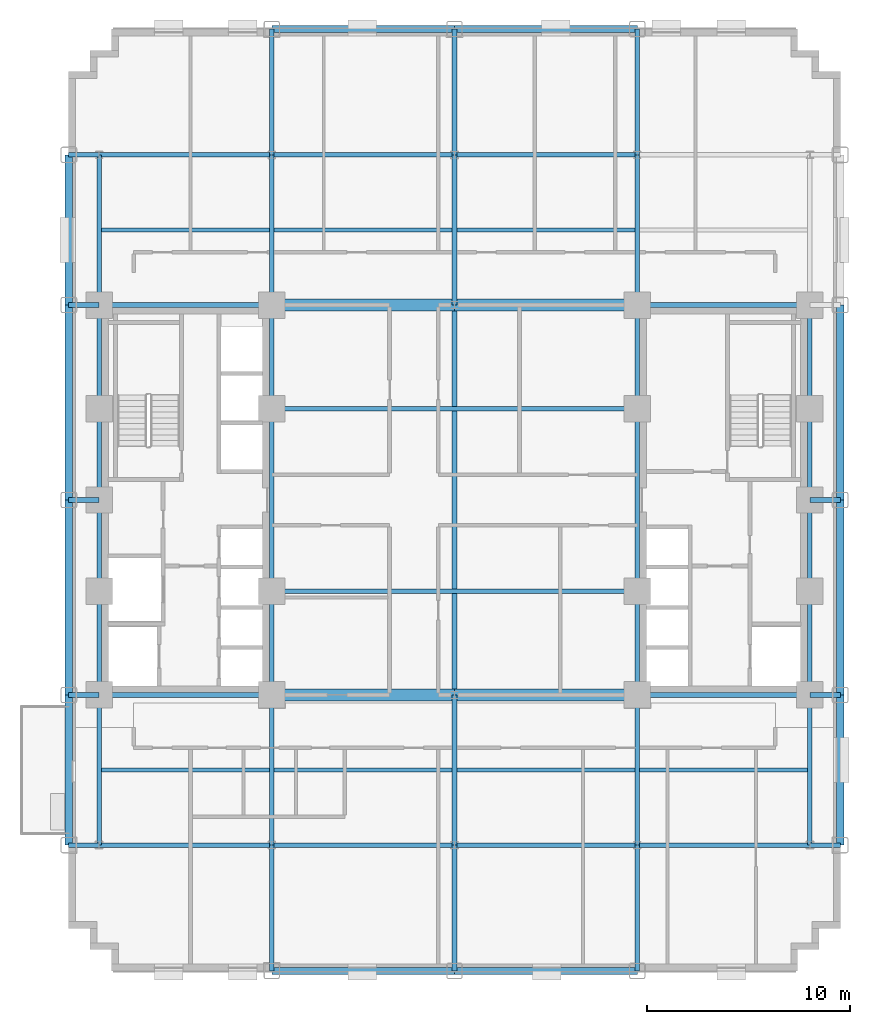
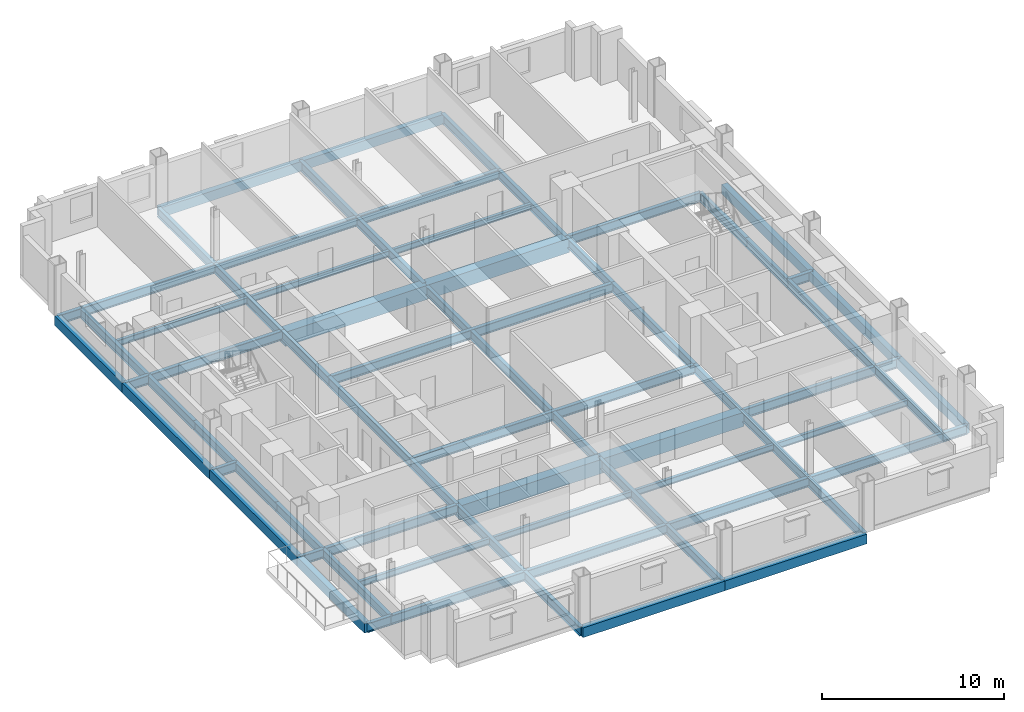
# One storey, part 3 of 12: 73 beams.
"""IFC4 building model written with IfcOpenShell, lengths in metres."""

from ifc_helpers import new_model, si_unit, direction, frame, origin, origin_2d, place, context, subcontext, project, spatial, rectangle, i_section, extrude, material, material_profile, profile_set, type_object, element, save


model = new_model("IFC4")

# Units and contexts
model_context = context("Model", 3, precision=1e-05, world=origin(), true_north=direction((0.0, 1.0)))
body_context = subcontext(model_context, "Body", "Model", "MODEL_VIEW")
ifc_project = project(units=[si_unit("LENGTHUNIT", "METRE"), si_unit("AREAUNIT", "SQUARE_METRE"), si_unit("VOLUMEUNIT", "CUBIC_METRE"), si_unit("PLANEANGLEUNIT", "RADIAN"), si_unit("MASSUNIT", "GRAM", prefix="KILO")], contexts=[model_context])

# Site, building, storey
site_placement = place(None, origin())
site = spatial("IfcSite", under=ifc_project, at=site_placement, CompositionType="ELEMENT")
building_placement = place(site_placement, origin())
building = spatial("IfcBuilding", under=site, at=building_placement, Name="Nuvemarco Arch Tower", CompositionType="ELEMENT")
storey_placement = place(building_placement, frame((0.0, 0.0, 49.5)))
storey = spatial("IfcBuildingStorey", under=building, at=storey_placement, Name="L12", CompositionType="ELEMENT", Elevation=49.5)

# Beams
ifc_material_1 = material(Name="Concrete C60/75", Category="concrete")
ifc_material_profile_1 = material_profile(ifc_material_1, rectangle(XDim=0.60009765625, YDim=0.949951171875, at=origin_2d()), Name="RC-BM-600x950")
ifc_profile_set_1 = profile_set([ifc_material_profile_1], Name="Concrete C60/75")
beam_type_1 = type_object("IfcBeamType", Name="BM-COUP-RC", PredefinedType="LINTEL", material=ifc_profile_set_1)
for number, where, z_axis, x_axis, name in (
    (1, (-9.0, -9.60009765625, -0.7548828125), (1.0, 0.0, 0.0), (0.0, 1.0, 0.0), "L12 structural beam BGEW_L12_0_-9.6_-9.0"),
    (2, (0.0, -9.60009765625, -0.7548828125), (1.0, 0.0, 0.0), (0.0, 1.0, 0.0), "L12 structural beam BGEW_L12_0_-9.6_+0.0"),
    (3, (-9.0, 9.60009765625, -0.7548828125), (1.0, 0.0, 0.0), (0.0, 1.0, 0.0), "L12 structural beam BGEW_L12_0_+9.6_-9.0"),
    (4, (0.0, 9.60009765625, -0.7548828125), (1.0, 0.0, 0.0), (0.0, 1.0, 0.0), "L12 structural beam BGEW_L12_0_+9.6_+0.0"),
):
    element("IfcBeam", number, at=place(storey_placement, frame(where, z_axis=z_axis, x_axis=x_axis)), inside=storey, type_object=beam_type_1, Name=name, PredefinedType="LINTEL", context=body_context, shape_type="SweptSolid", body=[
        extrude(rectangle(XDim=0.60009765625, YDim=0.949951171875, at=origin_2d()), origin(), (0.0, 0.0, 1.0), 9.0),
    ])
ifc_material_2 = material(Name="Steel S355", Category="steel")
ifc_material_profile_2 = material_profile(ifc_material_2, i_section(OverallWidth=0.22998046875, OverallDepth=0.616943359375, WebThickness=0.01318359375, FlangeThickness=0.022216796875, FilletRadius=0.01611328125, at=origin_2d()), Name="W610x140")
ifc_profile_set_2 = profile_set([ifc_material_profile_2], Name="Steel S355")
beam_type_2 = type_object("IfcBeamType", Name="BM-GIRD-610", PredefinedType="BEAM", material=ifc_profile_set_2)
beam_1_placement = place(storey_placement, frame((-17.5, -17.0, -0.58837890625), z_axis=(0.0, 1.0, 0.0), x_axis=(-1.0, 0.0, 0.0)))
element("IfcBeam", 5, at=beam_1_placement, inside=storey, type_object=beam_type_2, Name="L12 structural beam BGNS_L12_0_-17.5_-17.0", PredefinedType="BEAM", context=body_context, shape_type="SweptSolid", body=[
    extrude(i_section(OverallWidth=0.22998046875, OverallDepth=0.616943359375, WebThickness=0.01318359375, FlangeThickness=0.022216796875, FilletRadius=0.01611328125, at=origin_2d()), origin(), (0.0, 0.0, 1.0), 7.39990234375),
])
beam_2_placement = place(storey_placement, frame((-17.5, -9.60009765625, -0.58837890625), z_axis=(0.0, 1.0, 0.0), x_axis=(-1.0, 0.0, 0.0)))
element("IfcBeam", 6, at=beam_2_placement, inside=storey, type_object=beam_type_2, Name="L12 structural beam BGNS_L12_0_-17.5_-9.6", PredefinedType="BEAM", context=body_context, shape_type="SweptSolid", body=[
    extrude(i_section(OverallWidth=0.22998046875, OverallDepth=0.616943359375, WebThickness=0.01318359375, FlangeThickness=0.022216796875, FilletRadius=0.01611328125, at=origin_2d()), origin(), (0.0, 0.0, 1.0), 5.10009765625),
])
for number, where, z_axis, x_axis, name in (
    (7, (-17.5, -4.5, -0.58837890625), (0.0, 1.0, 0.0), (-1.0, 0.0, 0.0), "L12 structural beam BGNS_L12_0_-17.5_-4.5"),
    (8, (-17.5, 0.0, -0.58837890625), (0.0, 1.0, 0.0), (-1.0, 0.0, 0.0), "L12 structural beam BGNS_L12_0_-17.5_+0.0"),
):
    element("IfcBeam", number, at=place(storey_placement, frame(where, z_axis=z_axis, x_axis=x_axis)), inside=storey, type_object=beam_type_2, Name=name, PredefinedType="BEAM", context=body_context, shape_type="SweptSolid", body=[
        extrude(i_section(OverallWidth=0.22998046875, OverallDepth=0.616943359375, WebThickness=0.01318359375, FlangeThickness=0.022216796875, FilletRadius=0.01611328125, at=origin_2d()), origin(), (0.0, 0.0, 1.0), 4.5),
    ])
beam_3_placement = place(storey_placement, frame((-17.5, 4.5, -0.58837890625), z_axis=(0.0, 1.0, 0.0), x_axis=(-1.0, 0.0, 0.0)))
element("IfcBeam", 9, at=beam_3_placement, inside=storey, type_object=beam_type_2, Name="L12 structural beam BGNS_L12_0_-17.5_+4.5", PredefinedType="BEAM", context=body_context, shape_type="SweptSolid", body=[
    extrude(i_section(OverallWidth=0.22998046875, OverallDepth=0.616943359375, WebThickness=0.01318359375, FlangeThickness=0.022216796875, FilletRadius=0.01611328125, at=origin_2d()), origin(), (0.0, 0.0, 1.0), 5.10009765625),
])
beam_4_placement = place(storey_placement, frame((-17.5, 9.60009765625, -0.58837890625), z_axis=(0.0, 1.0, 0.0), x_axis=(-1.0, 0.0, 0.0)))
element("IfcBeam", 10, at=beam_4_placement, inside=storey, type_object=beam_type_2, Name="L12 structural beam BGNS_L12_0_-17.5_+9.6", PredefinedType="BEAM", context=body_context, shape_type="SweptSolid", body=[
    extrude(i_section(OverallWidth=0.22998046875, OverallDepth=0.616943359375, WebThickness=0.01318359375, FlangeThickness=0.022216796875, FilletRadius=0.01611328125, at=origin_2d()), origin(), (0.0, 0.0, 1.0), 7.39990234375),
])
beam_5_placement = place(storey_placement, frame((-9.0, -23.199951171875, -0.58837890625), z_axis=(0.0, 1.0, 0.0), x_axis=(-1.0, 0.0, 0.0)))
element("IfcBeam", 11, at=beam_5_placement, inside=storey, type_object=beam_type_2, Name="L12 structural beam BGNS_L12_0_-9.0_-23.2", PredefinedType="BEAM", context=body_context, shape_type="SweptSolid", body=[
    extrude(i_section(OverallWidth=0.22998046875, OverallDepth=0.616943359375, WebThickness=0.01318359375, FlangeThickness=0.022216796875, FilletRadius=0.01611328125, at=origin_2d()), origin(), (0.0, 0.0, 1.0), 6.199951171875),
])
beam_6_placement = place(storey_placement, frame((-9.0, -17.0, -0.58837890625), z_axis=(0.0, 1.0, 0.0), x_axis=(-1.0, 0.0, 0.0)))
element("IfcBeam", 12, at=beam_6_placement, inside=storey, type_object=beam_type_2, Name="L12 structural beam BGNS_L12_0_-9.0_-17.0", PredefinedType="BEAM", context=body_context, shape_type="SweptSolid", body=[
    extrude(i_section(OverallWidth=0.22998046875, OverallDepth=0.616943359375, WebThickness=0.01318359375, FlangeThickness=0.022216796875, FilletRadius=0.01611328125, at=origin_2d()), origin(), (0.0, 0.0, 1.0), 7.39990234375),
])
beam_7_placement = place(storey_placement, frame((-9.0, -9.60009765625, -0.58837890625), z_axis=(0.0, 1.0, 0.0), x_axis=(-1.0, 0.0, 0.0)))
element("IfcBeam", 13, at=beam_7_placement, inside=storey, type_object=beam_type_2, Name="L12 structural beam BGNS_L12_0_-9.0_-9.6", PredefinedType="BEAM", context=body_context, shape_type="SweptSolid", body=[
    extrude(i_section(OverallWidth=0.22998046875, OverallDepth=0.616943359375, WebThickness=0.01318359375, FlangeThickness=0.022216796875, FilletRadius=0.01611328125, at=origin_2d()), origin(), (0.0, 0.0, 1.0), 5.10009765625),
])
beam_8_placement = place(storey_placement, frame((-9.0, -4.5, -0.58837890625), z_axis=(0.0, 1.0, 0.0), x_axis=(-1.0, 0.0, 0.0)))
element("IfcBeam", 14, at=beam_8_placement, inside=storey, type_object=beam_type_2, Name="L12 structural beam BGNS_L12_0_-9.0_-4.5", PredefinedType="BEAM", context=body_context, shape_type="SweptSolid", body=[
    extrude(i_section(OverallWidth=0.22998046875, OverallDepth=0.616943359375, WebThickness=0.01318359375, FlangeThickness=0.022216796875, FilletRadius=0.01611328125, at=origin_2d()), origin(), (0.0, 0.0, 1.0), 9.0),
])
beam_9_placement = place(storey_placement, frame((-9.0, 4.5, -0.58837890625), z_axis=(0.0, 1.0, 0.0), x_axis=(-1.0, 0.0, 0.0)))
element("IfcBeam", 15, at=beam_9_placement, inside=storey, type_object=beam_type_2, Name="L12 structural beam BGNS_L12_0_-9.0_+4.5", PredefinedType="BEAM", context=body_context, shape_type="SweptSolid", body=[
    extrude(i_section(OverallWidth=0.22998046875, OverallDepth=0.616943359375, WebThickness=0.01318359375, FlangeThickness=0.022216796875, FilletRadius=0.01611328125, at=origin_2d()), origin(), (0.0, 0.0, 1.0), 5.10009765625),
])
beam_10_placement = place(storey_placement, frame((-9.0, 9.60009765625, -0.58837890625), z_axis=(0.0, 1.0, 0.0), x_axis=(-1.0, 0.0, 0.0)))
element("IfcBeam", 16, at=beam_10_placement, inside=storey, type_object=beam_type_2, Name="L12 structural beam BGNS_L12_0_-9.0_+9.6", PredefinedType="BEAM", context=body_context, shape_type="SweptSolid", body=[
    extrude(i_section(OverallWidth=0.22998046875, OverallDepth=0.616943359375, WebThickness=0.01318359375, FlangeThickness=0.022216796875, FilletRadius=0.01611328125, at=origin_2d()), origin(), (0.0, 0.0, 1.0), 7.39990234375),
])
for number, where, z_axis, x_axis, name in (
    (17, (-9.0, 17.0, -0.58837890625), (0.0, 1.0, 0.0), (-1.0, 0.0, 0.0), "L12 structural beam BGNS_L12_0_-9.0_+17.0"),
    (18, (0.0, -23.199951171875, -0.58837890625), (0.0, 1.0, 0.0), (-1.0, 0.0, 0.0), "L12 structural beam BGNS_L12_0_+0.0_-23.2"),
):
    element("IfcBeam", number, at=place(storey_placement, frame(where, z_axis=z_axis, x_axis=x_axis)), inside=storey, type_object=beam_type_2, Name=name, PredefinedType="BEAM", context=body_context, shape_type="SweptSolid", body=[
        extrude(i_section(OverallWidth=0.22998046875, OverallDepth=0.616943359375, WebThickness=0.01318359375, FlangeThickness=0.022216796875, FilletRadius=0.01611328125, at=origin_2d()), origin(), (0.0, 0.0, 1.0), 6.199951171875),
    ])
beam_11_placement = place(storey_placement, frame((0.0, -17.0, -0.58837890625), z_axis=(0.0, 1.0, 0.0), x_axis=(-1.0, 0.0, 0.0)))
element("IfcBeam", 19, at=beam_11_placement, inside=storey, type_object=beam_type_2, Name="L12 structural beam BGNS_L12_0_+0.0_-17.0", PredefinedType="BEAM", context=body_context, shape_type="SweptSolid", body=[
    extrude(i_section(OverallWidth=0.22998046875, OverallDepth=0.616943359375, WebThickness=0.01318359375, FlangeThickness=0.022216796875, FilletRadius=0.01611328125, at=origin_2d()), origin(), (0.0, 0.0, 1.0), 7.39990234375),
])
beam_12_placement = place(storey_placement, frame((0.0, -9.60009765625, -0.58837890625), z_axis=(0.0, 1.0, 0.0), x_axis=(-1.0, 0.0, 0.0)))
element("IfcBeam", 20, at=beam_12_placement, inside=storey, type_object=beam_type_2, Name="L12 structural beam BGNS_L12_0_+0.0_-9.6", PredefinedType="BEAM", context=body_context, shape_type="SweptSolid", body=[
    extrude(i_section(OverallWidth=0.22998046875, OverallDepth=0.616943359375, WebThickness=0.01318359375, FlangeThickness=0.022216796875, FilletRadius=0.01611328125, at=origin_2d()), origin(), (0.0, 0.0, 1.0), 19.2001953125),
])
beam_13_placement = place(storey_placement, frame((0.0, 9.60009765625, -0.58837890625), z_axis=(0.0, 1.0, 0.0), x_axis=(-1.0, 0.0, 0.0)))
element("IfcBeam", 21, at=beam_13_placement, inside=storey, type_object=beam_type_2, Name="L12 structural beam BGNS_L12_0_+0.0_+9.6", PredefinedType="BEAM", context=body_context, shape_type="SweptSolid", body=[
    extrude(i_section(OverallWidth=0.22998046875, OverallDepth=0.616943359375, WebThickness=0.01318359375, FlangeThickness=0.022216796875, FilletRadius=0.01611328125, at=origin_2d()), origin(), (0.0, 0.0, 1.0), 7.39990234375),
])
for number, where, z_axis, x_axis, name in (
    (22, (0.0, 17.0, -0.58837890625), (0.0, 1.0, 0.0), (-1.0, 0.0, 0.0), "L12 structural beam BGNS_L12_0_+0.0_+17.0"),
    (23, (9.0, -23.199951171875, -0.58837890625), (0.0, 1.0, 0.0), (-1.0, 0.0, 0.0), "L12 structural beam BGNS_L12_0_+9.0_-23.2"),
):
    element("IfcBeam", number, at=place(storey_placement, frame(where, z_axis=z_axis, x_axis=x_axis)), inside=storey, type_object=beam_type_2, Name=name, PredefinedType="BEAM", context=body_context, shape_type="SweptSolid", body=[
        extrude(i_section(OverallWidth=0.22998046875, OverallDepth=0.616943359375, WebThickness=0.01318359375, FlangeThickness=0.022216796875, FilletRadius=0.01611328125, at=origin_2d()), origin(), (0.0, 0.0, 1.0), 6.199951171875),
    ])
beam_14_placement = place(storey_placement, frame((9.0, -17.0, -0.58837890625), z_axis=(0.0, 1.0, 0.0), x_axis=(-1.0, 0.0, 0.0)))
element("IfcBeam", 24, at=beam_14_placement, inside=storey, type_object=beam_type_2, Name="L12 structural beam BGNS_L12_0_+9.0_-17.0", PredefinedType="BEAM", context=body_context, shape_type="SweptSolid", body=[
    extrude(i_section(OverallWidth=0.22998046875, OverallDepth=0.616943359375, WebThickness=0.01318359375, FlangeThickness=0.022216796875, FilletRadius=0.01611328125, at=origin_2d()), origin(), (0.0, 0.0, 1.0), 7.39990234375),
])
beam_15_placement = place(storey_placement, frame((9.0, -9.60009765625, -0.58837890625), z_axis=(0.0, 1.0, 0.0), x_axis=(-1.0, 0.0, 0.0)))
element("IfcBeam", 25, at=beam_15_placement, inside=storey, type_object=beam_type_2, Name="L12 structural beam BGNS_L12_0_+9.0_-9.6", PredefinedType="BEAM", context=body_context, shape_type="SweptSolid", body=[
    extrude(i_section(OverallWidth=0.22998046875, OverallDepth=0.616943359375, WebThickness=0.01318359375, FlangeThickness=0.022216796875, FilletRadius=0.01611328125, at=origin_2d()), origin(), (0.0, 0.0, 1.0), 5.10009765625),
])
beam_16_placement = place(storey_placement, frame((9.0, -4.5, -0.58837890625), z_axis=(0.0, 1.0, 0.0), x_axis=(-1.0, 0.0, 0.0)))
element("IfcBeam", 26, at=beam_16_placement, inside=storey, type_object=beam_type_2, Name="L12 structural beam BGNS_L12_0_+9.0_-4.5", PredefinedType="BEAM", context=body_context, shape_type="SweptSolid", body=[
    extrude(i_section(OverallWidth=0.22998046875, OverallDepth=0.616943359375, WebThickness=0.01318359375, FlangeThickness=0.022216796875, FilletRadius=0.01611328125, at=origin_2d()), origin(), (0.0, 0.0, 1.0), 9.0),
])
beam_17_placement = place(storey_placement, frame((9.0, 4.5, -0.58837890625), z_axis=(0.0, 1.0, 0.0), x_axis=(-1.0, 0.0, 0.0)))
element("IfcBeam", 27, at=beam_17_placement, inside=storey, type_object=beam_type_2, Name="L12 structural beam BGNS_L12_0_+9.0_+4.5", PredefinedType="BEAM", context=body_context, shape_type="SweptSolid", body=[
    extrude(i_section(OverallWidth=0.22998046875, OverallDepth=0.616943359375, WebThickness=0.01318359375, FlangeThickness=0.022216796875, FilletRadius=0.01611328125, at=origin_2d()), origin(), (0.0, 0.0, 1.0), 5.10009765625),
])
beam_18_placement = place(storey_placement, frame((9.0, 9.60009765625, -0.58837890625), z_axis=(0.0, 1.0, 0.0), x_axis=(-1.0, 0.0, 0.0)))
element("IfcBeam", 28, at=beam_18_placement, inside=storey, type_object=beam_type_2, Name="L12 structural beam BGNS_L12_0_+9.0_+9.6", PredefinedType="BEAM", context=body_context, shape_type="SweptSolid", body=[
    extrude(i_section(OverallWidth=0.22998046875, OverallDepth=0.616943359375, WebThickness=0.01318359375, FlangeThickness=0.022216796875, FilletRadius=0.01611328125, at=origin_2d()), origin(), (0.0, 0.0, 1.0), 7.39990234375),
])
beam_19_placement = place(storey_placement, frame((9.0, 17.0, -0.58837890625), z_axis=(0.0, 1.0, 0.0), x_axis=(-1.0, 0.0, 0.0)))
element("IfcBeam", 29, at=beam_19_placement, inside=storey, type_object=beam_type_2, Name="L12 structural beam BGNS_L12_0_+9.0_+17.0", PredefinedType="BEAM", context=body_context, shape_type="SweptSolid", body=[
    extrude(i_section(OverallWidth=0.22998046875, OverallDepth=0.616943359375, WebThickness=0.01318359375, FlangeThickness=0.022216796875, FilletRadius=0.01611328125, at=origin_2d()), origin(), (0.0, 0.0, 1.0), 6.199951171875),
])
beam_20_placement = place(storey_placement, frame((17.5, -17.0, -0.58837890625), z_axis=(0.0, 1.0, 0.0), x_axis=(-1.0, 0.0, 0.0)))
element("IfcBeam", 30, at=beam_20_placement, inside=storey, type_object=beam_type_2, Name="L12 structural beam BGNS_L12_0_+17.5_-17.0", PredefinedType="BEAM", context=body_context, shape_type="SweptSolid", body=[
    extrude(i_section(OverallWidth=0.22998046875, OverallDepth=0.616943359375, WebThickness=0.01318359375, FlangeThickness=0.022216796875, FilletRadius=0.01611328125, at=origin_2d()), origin(), (0.0, 0.0, 1.0), 7.39990234375),
])
beam_21_placement = place(storey_placement, frame((17.5, -9.60009765625, -0.58837890625), z_axis=(0.0, 1.0, 0.0), x_axis=(-1.0, 0.0, 0.0)))
element("IfcBeam", 31, at=beam_21_placement, inside=storey, type_object=beam_type_2, Name="L12 structural beam BGNS_L12_0_+17.5_-9.6", PredefinedType="BEAM", context=body_context, shape_type="SweptSolid", body=[
    extrude(i_section(OverallWidth=0.22998046875, OverallDepth=0.616943359375, WebThickness=0.01318359375, FlangeThickness=0.022216796875, FilletRadius=0.01611328125, at=origin_2d()), origin(), (0.0, 0.0, 1.0), 5.10009765625),
])
for number, where, z_axis, x_axis, name in (
    (32, (17.5, -4.5, -0.58837890625), (0.0, 1.0, 0.0), (-1.0, 0.0, 0.0), "L12 structural beam BGNS_L12_0_+17.5_-4.5"),
    (33, (17.5, 0.0, -0.58837890625), (0.0, 1.0, 0.0), (-1.0, 0.0, 0.0), "L12 structural beam BGNS_L12_0_+17.5_+0.0"),
):
    element("IfcBeam", number, at=place(storey_placement, frame(where, z_axis=z_axis, x_axis=x_axis)), inside=storey, type_object=beam_type_2, Name=name, PredefinedType="BEAM", context=body_context, shape_type="SweptSolid", body=[
        extrude(i_section(OverallWidth=0.22998046875, OverallDepth=0.616943359375, WebThickness=0.01318359375, FlangeThickness=0.022216796875, FilletRadius=0.01611328125, at=origin_2d()), origin(), (0.0, 0.0, 1.0), 4.5),
    ])
beam_22_placement = place(storey_placement, frame((17.5, 4.5, -0.58837890625), z_axis=(0.0, 1.0, 0.0), x_axis=(-1.0, 0.0, 0.0)))
element("IfcBeam", 34, at=beam_22_placement, inside=storey, type_object=beam_type_2, Name="L12 structural beam BGNS_L12_0_+17.5_+4.5", PredefinedType="BEAM", context=body_context, shape_type="SweptSolid", body=[
    extrude(i_section(OverallWidth=0.22998046875, OverallDepth=0.616943359375, WebThickness=0.01318359375, FlangeThickness=0.022216796875, FilletRadius=0.01611328125, at=origin_2d()), origin(), (0.0, 0.0, 1.0), 5.10009765625),
])
beam_23_placement = place(storey_placement, frame((-19.0, -17.0, -0.58837890625), z_axis=(1.0, 0.0, 0.0), x_axis=(0.0, 1.0, 0.0)))
element("IfcBeam", 35, at=beam_23_placement, inside=storey, type_object=beam_type_2, Name="L12 structural beam BGEW_L12_0_-17.0_-19.0", PredefinedType="BEAM", context=body_context, shape_type="SweptSolid", body=[
    extrude(i_section(OverallWidth=0.22998046875, OverallDepth=0.616943359375, WebThickness=0.01318359375, FlangeThickness=0.022216796875, FilletRadius=0.01611328125, at=origin_2d()), origin(), (0.0, 0.0, 1.0), 1.5),
])
beam_24_placement = place(storey_placement, frame((-17.5, -17.0, -0.58837890625), z_axis=(1.0, 0.0, 0.0), x_axis=(0.0, 1.0, 0.0)))
element("IfcBeam", 36, at=beam_24_placement, inside=storey, type_object=beam_type_2, Name="L12 structural beam BGEW_L12_0_-17.0_-17.5", PredefinedType="BEAM", context=body_context, shape_type="SweptSolid", body=[
    extrude(i_section(OverallWidth=0.22998046875, OverallDepth=0.616943359375, WebThickness=0.01318359375, FlangeThickness=0.022216796875, FilletRadius=0.01611328125, at=origin_2d()), origin(), (0.0, 0.0, 1.0), 8.5),
])
for number, where, z_axis, x_axis, name in (
    (37, (-9.0, -17.0, -0.58837890625), (1.0, 0.0, 0.0), (0.0, 1.0, 0.0), "L12 structural beam BGEW_L12_0_-17.0_-9.0"),
    (38, (0.0, -17.0, -0.58837890625), (1.0, 0.0, 0.0), (0.0, 1.0, 0.0), "L12 structural beam BGEW_L12_0_-17.0_+0.0"),
):
    element("IfcBeam", number, at=place(storey_placement, frame(where, z_axis=z_axis, x_axis=x_axis)), inside=storey, type_object=beam_type_2, Name=name, PredefinedType="BEAM", context=body_context, shape_type="SweptSolid", body=[
        extrude(i_section(OverallWidth=0.22998046875, OverallDepth=0.616943359375, WebThickness=0.01318359375, FlangeThickness=0.022216796875, FilletRadius=0.01611328125, at=origin_2d()), origin(), (0.0, 0.0, 1.0), 9.0),
    ])
beam_25_placement = place(storey_placement, frame((9.0, -17.0, -0.58837890625), z_axis=(1.0, 0.0, 0.0), x_axis=(0.0, 1.0, 0.0)))
element("IfcBeam", 39, at=beam_25_placement, inside=storey, type_object=beam_type_2, Name="L12 structural beam BGEW_L12_0_-17.0_+9.0", PredefinedType="BEAM", context=body_context, shape_type="SweptSolid", body=[
    extrude(i_section(OverallWidth=0.22998046875, OverallDepth=0.616943359375, WebThickness=0.01318359375, FlangeThickness=0.022216796875, FilletRadius=0.01611328125, at=origin_2d()), origin(), (0.0, 0.0, 1.0), 8.5),
])
for number, where, z_axis, x_axis, name in (
    (40, (17.5, -17.0, -0.58837890625), (1.0, 0.0, 0.0), (0.0, 1.0, 0.0), "L12 structural beam BGEW_L12_0_-17.0_+17.5"),
    (41, (-19.0, -9.60009765625, -0.58837890625), (1.0, 0.0, 0.0), (0.0, 1.0, 0.0), "L12 structural beam BGEW_L12_0_-9.6_-19.0"),
):
    element("IfcBeam", number, at=place(storey_placement, frame(where, z_axis=z_axis, x_axis=x_axis)), inside=storey, type_object=beam_type_2, Name=name, PredefinedType="BEAM", context=body_context, shape_type="SweptSolid", body=[
        extrude(i_section(OverallWidth=0.22998046875, OverallDepth=0.616943359375, WebThickness=0.01318359375, FlangeThickness=0.022216796875, FilletRadius=0.01611328125, at=origin_2d()), origin(), (0.0, 0.0, 1.0), 1.5),
    ])
for number, where, z_axis, x_axis, name in (
    (42, (-17.5, -9.60009765625, -0.58837890625), (1.0, 0.0, 0.0), (0.0, 1.0, 0.0), "L12 structural beam BGEW_L12_0_-9.6_-17.5"),
    (43, (9.0, -9.60009765625, -0.58837890625), (1.0, 0.0, 0.0), (0.0, 1.0, 0.0), "L12 structural beam BGEW_L12_0_-9.6_+9.0"),
):
    element("IfcBeam", number, at=place(storey_placement, frame(where, z_axis=z_axis, x_axis=x_axis)), inside=storey, type_object=beam_type_2, Name=name, PredefinedType="BEAM", context=body_context, shape_type="SweptSolid", body=[
        extrude(i_section(OverallWidth=0.22998046875, OverallDepth=0.616943359375, WebThickness=0.01318359375, FlangeThickness=0.022216796875, FilletRadius=0.01611328125, at=origin_2d()), origin(), (0.0, 0.0, 1.0), 8.5),
    ])
beam_26_placement = place(storey_placement, frame((17.5, -9.60009765625, -0.58837890625), z_axis=(1.0, 0.0, 0.0), x_axis=(0.0, 1.0, 0.0)))
element("IfcBeam", 44, at=beam_26_placement, inside=storey, type_object=beam_type_2, Name="L12 structural beam BGEW_L12_0_-9.6_+17.5", PredefinedType="BEAM", context=body_context, shape_type="SweptSolid", body=[
    extrude(i_section(OverallWidth=0.22998046875, OverallDepth=0.616943359375, WebThickness=0.01318359375, FlangeThickness=0.022216796875, FilletRadius=0.01611328125, at=origin_2d()), origin(), (0.0, 0.0, 1.0), 1.5),
])
beam_27_placement = place(storey_placement, frame((-9.0, -4.5, -0.58837890625), z_axis=(1.0, 0.0, 0.0), x_axis=(0.0, 1.0, 0.0)))
element("IfcBeam", 45, at=beam_27_placement, inside=storey, type_object=beam_type_2, Name="L12 structural beam BGEW_L12_0_-4.5_-9.0", PredefinedType="BEAM", context=body_context, shape_type="SweptSolid", body=[
    extrude(i_section(OverallWidth=0.22998046875, OverallDepth=0.616943359375, WebThickness=0.01318359375, FlangeThickness=0.022216796875, FilletRadius=0.01611328125, at=origin_2d()), origin(), (0.0, 0.0, 1.0), 18.0),
])
for number, where, z_axis, x_axis, name in (
    (46, (-19.0, 0.0, -0.58837890625), (1.0, 0.0, 0.0), (0.0, 1.0, 0.0), "L12 structural beam BGEW_L12_0_+0.0_-19.0"),
    (47, (17.5, 0.0, -0.58837890625), (1.0, 0.0, 0.0), (0.0, 1.0, 0.0), "L12 structural beam BGEW_L12_0_+0.0_+17.5"),
):
    element("IfcBeam", number, at=place(storey_placement, frame(where, z_axis=z_axis, x_axis=x_axis)), inside=storey, type_object=beam_type_2, Name=name, PredefinedType="BEAM", context=body_context, shape_type="SweptSolid", body=[
        extrude(i_section(OverallWidth=0.22998046875, OverallDepth=0.616943359375, WebThickness=0.01318359375, FlangeThickness=0.022216796875, FilletRadius=0.01611328125, at=origin_2d()), origin(), (0.0, 0.0, 1.0), 1.5),
    ])
beam_28_placement = place(storey_placement, frame((-9.0, 4.5, -0.58837890625), z_axis=(1.0, 0.0, 0.0), x_axis=(0.0, 1.0, 0.0)))
element("IfcBeam", 48, at=beam_28_placement, inside=storey, type_object=beam_type_2, Name="L12 structural beam BGEW_L12_0_+4.5_-9.0", PredefinedType="BEAM", context=body_context, shape_type="SweptSolid", body=[
    extrude(i_section(OverallWidth=0.22998046875, OverallDepth=0.616943359375, WebThickness=0.01318359375, FlangeThickness=0.022216796875, FilletRadius=0.01611328125, at=origin_2d()), origin(), (0.0, 0.0, 1.0), 18.0),
])
beam_29_placement = place(storey_placement, frame((-19.0, 9.60009765625, -0.58837890625), z_axis=(1.0, 0.0, 0.0), x_axis=(0.0, 1.0, 0.0)))
element("IfcBeam", 49, at=beam_29_placement, inside=storey, type_object=beam_type_2, Name="L12 structural beam BGEW_L12_0_+9.6_-19.0", PredefinedType="BEAM", context=body_context, shape_type="SweptSolid", body=[
    extrude(i_section(OverallWidth=0.22998046875, OverallDepth=0.616943359375, WebThickness=0.01318359375, FlangeThickness=0.022216796875, FilletRadius=0.01611328125, at=origin_2d()), origin(), (0.0, 0.0, 1.0), 1.5),
])
for number, where, z_axis, x_axis, name in (
    (50, (-17.5, 9.60009765625, -0.58837890625), (1.0, 0.0, 0.0), (0.0, 1.0, 0.0), "L12 structural beam BGEW_L12_0_+9.6_-17.5"),
    (51, (9.0, 9.60009765625, -0.58837890625), (1.0, 0.0, 0.0), (0.0, 1.0, 0.0), "L12 structural beam BGEW_L12_0_+9.6_+9.0"),
):
    element("IfcBeam", number, at=place(storey_placement, frame(where, z_axis=z_axis, x_axis=x_axis)), inside=storey, type_object=beam_type_2, Name=name, PredefinedType="BEAM", context=body_context, shape_type="SweptSolid", body=[
        extrude(i_section(OverallWidth=0.22998046875, OverallDepth=0.616943359375, WebThickness=0.01318359375, FlangeThickness=0.022216796875, FilletRadius=0.01611328125, at=origin_2d()), origin(), (0.0, 0.0, 1.0), 8.5),
    ])
beam_30_placement = place(storey_placement, frame((-19.0, 17.0, -0.58837890625), z_axis=(1.0, 0.0, 0.0), x_axis=(0.0, 1.0, 0.0)))
element("IfcBeam", 52, at=beam_30_placement, inside=storey, type_object=beam_type_2, Name="L12 structural beam BGEW_L12_0_+17.0_-19.0", PredefinedType="BEAM", context=body_context, shape_type="SweptSolid", body=[
    extrude(i_section(OverallWidth=0.22998046875, OverallDepth=0.616943359375, WebThickness=0.01318359375, FlangeThickness=0.022216796875, FilletRadius=0.01611328125, at=origin_2d()), origin(), (0.0, 0.0, 1.0), 1.5),
])
beam_31_placement = place(storey_placement, frame((-17.5, 17.0, -0.58837890625), z_axis=(1.0, 0.0, 0.0), x_axis=(0.0, 1.0, 0.0)))
element("IfcBeam", 53, at=beam_31_placement, inside=storey, type_object=beam_type_2, Name="L12 structural beam BGEW_L12_0_+17.0_-17.5", PredefinedType="BEAM", context=body_context, shape_type="SweptSolid", body=[
    extrude(i_section(OverallWidth=0.22998046875, OverallDepth=0.616943359375, WebThickness=0.01318359375, FlangeThickness=0.022216796875, FilletRadius=0.01611328125, at=origin_2d()), origin(), (0.0, 0.0, 1.0), 8.5),
])
for number, where, z_axis, x_axis, name in (
    (54, (-9.0, 17.0, -0.58837890625), (1.0, 0.0, 0.0), (0.0, 1.0, 0.0), "L12 structural beam BGEW_L12_0_+17.0_-9.0"),
    (55, (0.0, 17.0, -0.58837890625), (1.0, 0.0, 0.0), (0.0, 1.0, 0.0), "L12 structural beam BGEW_L12_0_+17.0_+0.0"),
):
    element("IfcBeam", number, at=place(storey_placement, frame(where, z_axis=z_axis, x_axis=x_axis)), inside=storey, type_object=beam_type_2, Name=name, PredefinedType="BEAM", context=body_context, shape_type="SweptSolid", body=[
        extrude(i_section(OverallWidth=0.22998046875, OverallDepth=0.616943359375, WebThickness=0.01318359375, FlangeThickness=0.022216796875, FilletRadius=0.01611328125, at=origin_2d()), origin(), (0.0, 0.0, 1.0), 9.0),
    ])
ifc_material_profile_3 = material_profile(ifc_material_2, i_section(OverallWidth=0.179931640625, OverallDepth=0.4130859375, WebThickness=0.009765625, FlangeThickness=0.01611328125, FilletRadius=0.014892578125, at=origin_2d()), Name="W410x75")
ifc_profile_set_3 = profile_set([ifc_material_profile_3], Name="Steel S355")
beam_type_3 = type_object("IfcBeamType", Name="BM-JOIST-410", PredefinedType="JOIST", material=ifc_profile_set_3)
beam_32_placement = place(storey_placement, frame((-17.385009765625, -13.300048828125, -0.486572265625), z_axis=(1.0, 0.0, 0.0), x_axis=(0.0, 1.0, 0.0)))
element("IfcBeam", 56, at=beam_32_placement, inside=storey, type_object=beam_type_3, Name="L12 structural beam BJ_L12_0_-13.3_-17.5", PredefinedType="JOIST", context=body_context, shape_type="SweptSolid", body=[
    extrude(i_section(OverallWidth=0.179931640625, OverallDepth=0.4130859375, WebThickness=0.009765625, FlangeThickness=0.01611328125, FilletRadius=0.014892578125, at=origin_2d()), origin(), (0.0, 0.0, 1.0), 8.27001953125),
])
for number, where, z_axis, x_axis, name in (
    (57, (-8.885009765625, -13.300048828125, -0.486572265625), (1.0, 0.0, 0.0), (0.0, 1.0, 0.0), "L12 structural beam BJ_L12_0_-13.3_-9.0"),
    (58, (0.114990234375, -13.300048828125, -0.486572265625), (1.0, 0.0, 0.0), (0.0, 1.0, 0.0), "L12 structural beam BJ_L12_0_-13.3_+0.0"),
):
    element("IfcBeam", number, at=place(storey_placement, frame(where, z_axis=z_axis, x_axis=x_axis)), inside=storey, type_object=beam_type_3, Name=name, PredefinedType="JOIST", context=body_context, shape_type="SweptSolid", body=[
        extrude(i_section(OverallWidth=0.179931640625, OverallDepth=0.4130859375, WebThickness=0.009765625, FlangeThickness=0.01611328125, FilletRadius=0.014892578125, at=origin_2d()), origin(), (0.0, 0.0, 1.0), 8.77001953125),
    ])
for number, where, z_axis, x_axis, name in (
    (59, (9.114990234375, -13.300048828125, -0.486572265625), (1.0, 0.0, 0.0), (0.0, 1.0, 0.0), "L12 structural beam BJ_L12_0_-13.3_+9.0"),
    (60, (-17.385009765625, 13.300048828125, -0.486572265625), (1.0, 0.0, 0.0), (0.0, 1.0, 0.0), "L12 structural beam BJ_L12_0_+13.3_-17.5"),
):
    element("IfcBeam", number, at=place(storey_placement, frame(where, z_axis=z_axis, x_axis=x_axis)), inside=storey, type_object=beam_type_3, Name=name, PredefinedType="JOIST", context=body_context, shape_type="SweptSolid", body=[
        extrude(i_section(OverallWidth=0.179931640625, OverallDepth=0.4130859375, WebThickness=0.009765625, FlangeThickness=0.01611328125, FilletRadius=0.014892578125, at=origin_2d()), origin(), (0.0, 0.0, 1.0), 8.27001953125),
    ])
for number, where, z_axis, x_axis, name in (
    (61, (-8.885009765625, 13.300048828125, -0.486572265625), (1.0, 0.0, 0.0), (0.0, 1.0, 0.0), "L12 structural beam BJ_L12_0_+13.3_-9.0"),
    (62, (0.114990234375, 13.300048828125, -0.486572265625), (1.0, 0.0, 0.0), (0.0, 1.0, 0.0), "L12 structural beam BJ_L12_0_+13.3_+0.0"),
):
    element("IfcBeam", number, at=place(storey_placement, frame(where, z_axis=z_axis, x_axis=x_axis)), inside=storey, type_object=beam_type_3, Name=name, PredefinedType="JOIST", context=body_context, shape_type="SweptSolid", body=[
        extrude(i_section(OverallWidth=0.179931640625, OverallDepth=0.4130859375, WebThickness=0.009765625, FlangeThickness=0.01611328125, FilletRadius=0.014892578125, at=origin_2d()), origin(), (0.0, 0.0, 1.0), 8.77001953125),
    ])
ifc_material_3 = material(Name="Precast concrete C45/55", Category="concrete")
ifc_material_profile_4 = material_profile(ifc_material_3, rectangle(XDim=0.35009765625, YDim=0.64990234375, at=origin_2d()), Name="PC-SP-350x650")
ifc_profile_set_4 = profile_set([ifc_material_profile_4], Name="Precast concrete C45/55")
beam_type_4 = type_object("IfcBeamType", Name="BM-SPAN-RC", PredefinedType="SPANDREL", material=ifc_profile_set_4)
beam_33_placement = place(storey_placement, frame((-19.0, -17.0, -0.60498046875), z_axis=(0.0, 1.0, 0.0), x_axis=(-1.0, 0.0, 0.0)))
element("IfcBeam", 63, at=beam_33_placement, inside=storey, type_object=beam_type_4, Name="L12 structural beam BGNS_L12_0_-19.0_-17.0", PredefinedType="SPANDREL", context=body_context, shape_type="SweptSolid", body=[
    extrude(rectangle(XDim=0.35009765625, YDim=0.64990234375, at=origin_2d()), origin(), (0.0, 0.0, 1.0), 7.39990234375),
])
for number, where, z_axis, x_axis, name in (
    (64, (-19.0, -9.60009765625, -0.60498046875), (0.0, 1.0, 0.0), (-1.0, 0.0, 0.0), "L12 structural beam BGNS_L12_0_-19.0_-9.6"),
    (65, (-19.0, 0.0, -0.60498046875), (0.0, 1.0, 0.0), (-1.0, 0.0, 0.0), "L12 structural beam BGNS_L12_0_-19.0_+0.0"),
):
    element("IfcBeam", number, at=place(storey_placement, frame(where, z_axis=z_axis, x_axis=x_axis)), inside=storey, type_object=beam_type_4, Name=name, PredefinedType="SPANDREL", context=body_context, shape_type="SweptSolid", body=[
        extrude(rectangle(XDim=0.35009765625, YDim=0.64990234375, at=origin_2d()), origin(), (0.0, 0.0, 1.0), 9.60009765625),
    ])
for number, where, z_axis, x_axis, name in (
    (66, (-19.0, 9.60009765625, -0.60498046875), (0.0, 1.0, 0.0), (-1.0, 0.0, 0.0), "L12 structural beam BGNS_L12_0_-19.0_+9.6"),
    (67, (19.0, -17.0, -0.60498046875), (0.0, 1.0, 0.0), (-1.0, 0.0, 0.0), "L12 structural beam BGNS_L12_0_+19.0_-17.0"),
):
    element("IfcBeam", number, at=place(storey_placement, frame(where, z_axis=z_axis, x_axis=x_axis)), inside=storey, type_object=beam_type_4, Name=name, PredefinedType="SPANDREL", context=body_context, shape_type="SweptSolid", body=[
        extrude(rectangle(XDim=0.35009765625, YDim=0.64990234375, at=origin_2d()), origin(), (0.0, 0.0, 1.0), 7.39990234375),
    ])
for number, where, z_axis, x_axis, name in (
    (68, (19.0, -9.60009765625, -0.60498046875), (0.0, 1.0, 0.0), (-1.0, 0.0, 0.0), "L12 structural beam BGNS_L12_0_+19.0_-9.6"),
    (69, (19.0, 0.0, -0.60498046875), (0.0, 1.0, 0.0), (-1.0, 0.0, 0.0), "L12 structural beam BGNS_L12_0_+19.0_+0.0"),
):
    element("IfcBeam", number, at=place(storey_placement, frame(where, z_axis=z_axis, x_axis=x_axis)), inside=storey, type_object=beam_type_4, Name=name, PredefinedType="SPANDREL", context=body_context, shape_type="SweptSolid", body=[
        extrude(rectangle(XDim=0.35009765625, YDim=0.64990234375, at=origin_2d()), origin(), (0.0, 0.0, 1.0), 9.60009765625),
    ])
for number, where, z_axis, x_axis, name in (
    (70, (-9.0, -23.199951171875, -0.60498046875), (1.0, 0.0, 0.0), (0.0, 1.0, 0.0), "L12 structural beam BGEW_L12_0_-23.2_-9.0"),
    (71, (0.0, -23.199951171875, -0.60498046875), (1.0, 0.0, 0.0), (0.0, 1.0, 0.0), "L12 structural beam BGEW_L12_0_-23.2_+0.0"),
    (72, (-9.0, 23.199951171875, -0.60498046875), (1.0, 0.0, 0.0), (0.0, 1.0, 0.0), "L12 structural beam BGEW_L12_0_+23.2_-9.0"),
    (73, (0.0, 23.199951171875, -0.60498046875), (1.0, 0.0, 0.0), (0.0, 1.0, 0.0), "L12 structural beam BGEW_L12_0_+23.2_+0.0"),
):
    element("IfcBeam", number, at=place(storey_placement, frame(where, z_axis=z_axis, x_axis=x_axis)), inside=storey, type_object=beam_type_4, Name=name, PredefinedType="SPANDREL", context=body_context, shape_type="SweptSolid", body=[
        extrude(rectangle(XDim=0.35009765625, YDim=0.64990234375, at=origin_2d()), origin(), (0.0, 0.0, 1.0), 9.0),
    ])

save(model, "model.ifc")
